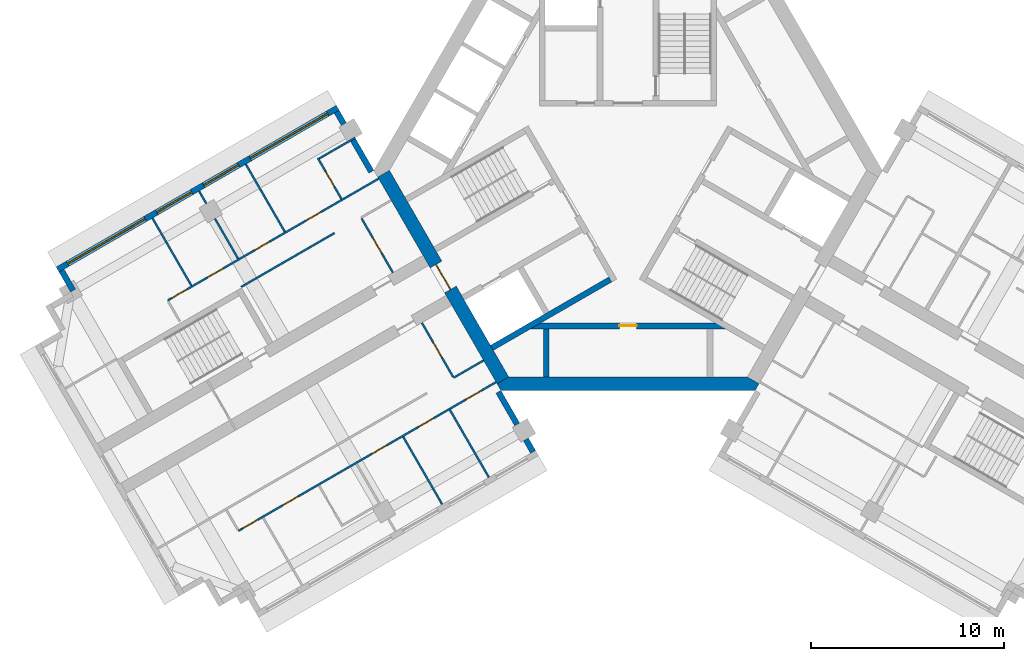
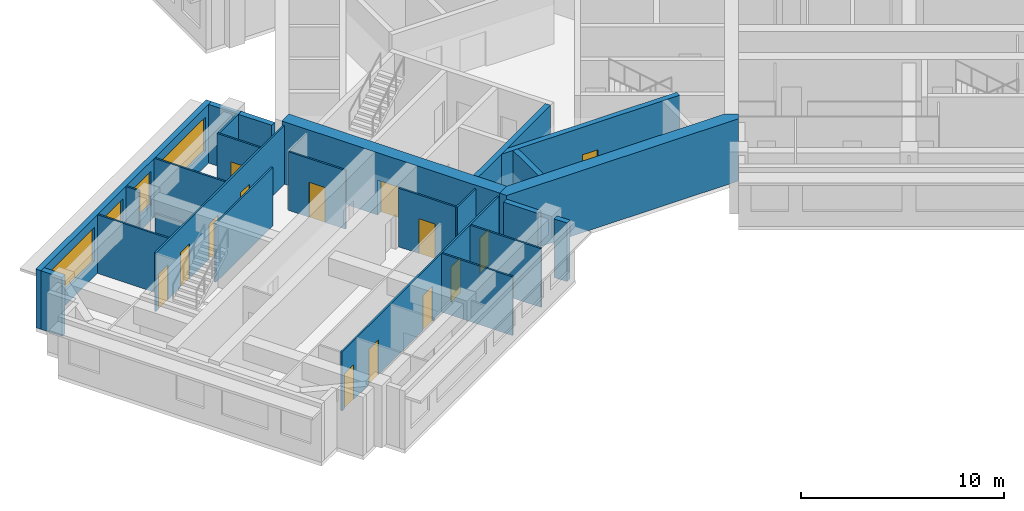
# One storey, part 3 of 10: 24 walls, 14 doors, 4 windows, 18 openings.
"""IFC4 building model written with IfcOpenShell, lengths in metres."""

from ifc_helpers import new_model, si_unit, direction, frame, frame_2d, origin, place, context, subcontext, project, spatial, polyline, rectangle, outline, extrude, material, layer, layer_set, type_object, element, fill, save


model = new_model("IFC4")

# Units and contexts
model_context = context("Model", 3, precision=1e-05, world=origin(), true_north=direction((0.0, 1.0)))
body_context = subcontext(model_context, "Body", "Model", "MODEL_VIEW")
ifc_project = project(units=[si_unit("LENGTHUNIT", "METRE"), si_unit("AREAUNIT", "SQUARE_METRE"), si_unit("VOLUMEUNIT", "CUBIC_METRE"), si_unit("PLANEANGLEUNIT", "RADIAN"), si_unit("MASSUNIT", "GRAM", prefix="KILO")], contexts=[model_context])

# Site, building, storey
site_placement = place(None, origin())
site = spatial("IfcSite", under=ifc_project, at=site_placement, CompositionType="ELEMENT")
building_placement = place(site_placement, origin())
building = spatial("IfcBuilding", under=site, at=building_placement, Name="Impinga Residences", CompositionType="ELEMENT")
storey_placement = place(building_placement, frame((0.0, 0.0, 259.75)))
storey = spatial("IfcBuildingStorey", under=building, at=storey_placement, Name="L65", CompositionType="ELEMENT", Elevation=259.75)

# Wall
ifc_material_1 = material(Name="Terracotta rainscreen on blockwork", Category="masonry")
ifc_layer_1 = layer(ifc_material_1, 0.300048828125)
ifc_layer_set_1 = layer_set([ifc_layer_1], Name="EW1 external wall, terracotta rainscreen on blockwork 300")
wall_type_1 = type_object("IfcWallType", Name="EW1 external wall, terracotta rainscreen on blockwork 300", PredefinedType="SOLIDWALL", material=ifc_layer_set_1)
wall_1_placement = place(storey_placement, frame((-28.8193359375, -6.24658203125, 0.0), z_axis=(0.0, 0.0, 1.0), x_axis=(-0.500033551112, 0.866006032174, 0.0)))
element("IfcWall", 1, at=wall_1_placement, inside=storey, type_object=wall_type_1, Name="External wall EW1 L65", PredefinedType="SOLIDWALL", context=body_context, shape_type="SweptSolid", body=[
    extrude(rectangle(XDim=1.2001953125, YDim=0.300048828125, at=frame_2d((0.60009765625, 0.0))), origin(), (0.0, 0.0, 1.0), 3.530029296875),
])

# Wall, openings, windows
wall_2_placement = place(storey_placement, frame((-29.624267578125, -5.15234375, 0.0), z_axis=(0.0, 0.0, 1.0), x_axis=(0.86602925447, 0.499993330357, 0.0)))
wall_2 = element("IfcWall", 2, at=wall_2_placement, inside=storey, type_object=wall_type_1, Name="External wall EW1 L65", PredefinedType="SOLIDWALL", context=body_context, shape_type="SweptSolid", body=[
    extrude(rectangle(XDim=16.800048828125, YDim=0.300048828125, at=frame_2d((8.39990234375, 0.0))), origin(), (0.0, 0.0, 1.0), 3.530029296875),
])
opening_1_placement = place(wall_2_placement, frame((0.60009765625, 0.0, 0.89990234375)))
opening_1 = element("IfcOpeningElement", 3, at=opening_1_placement, cuts=wall_2, Name="Opening W10", PredefinedType="OPENING", context=body_context, shape_type="SweptSolid", body=[
    extrude(rectangle(XDim=4.64990234375, YDim=2.050048828125, at=frame_2d((2.324951171875, 1.02490234375))), frame((0.0, 0.159912109375, 0.0), z_axis=(0.0, -1.0, 0.0), x_axis=(1.0, 0.0, 0.0)), (0.0, 0.0, 1.0), 0.320068359375),
])
opening_2_placement = place(wall_2_placement, frame((5.949951171875, 0.0, 0.89990234375)))
opening_2 = element("IfcOpeningElement", 4, at=opening_2_placement, cuts=wall_2, Name="Opening W9", PredefinedType="OPENING", context=body_context, shape_type="SweptSolid", body=[
    extrude(rectangle(XDim=2.10009765625, YDim=2.050048828125, at=frame_2d((1.050048828125, 1.02490234375))), frame((0.0, 0.159912109375, 0.0), z_axis=(0.0, -1.0, 0.0), x_axis=(1.0, 0.0, 0.0)), (0.0, 0.0, 1.0), 0.320068359375),
])
opening_3_placement = place(wall_2_placement, frame((8.75, 0.0, 0.89990234375)))
opening_3 = element("IfcOpeningElement", 5, at=opening_3_placement, cuts=wall_2, Name="Opening W9", PredefinedType="OPENING", context=body_context, shape_type="SweptSolid", body=[
    extrude(rectangle(XDim=2.10009765625, YDim=2.050048828125, at=frame_2d((1.050048828125, 1.02490234375))), frame((0.0, 0.159912109375, 0.0), z_axis=(0.0, -1.0, 0.0), x_axis=(1.0, 0.0, 0.0)), (0.0, 0.0, 1.0), 0.320068359375),
])
opening_4_placement = place(wall_2_placement, frame((11.550048828125, 0.0, 0.89990234375)))
opening_4 = element("IfcOpeningElement", 6, at=opening_4_placement, cuts=wall_2, Name="Opening W10", PredefinedType="OPENING", context=body_context, shape_type="SweptSolid", body=[
    extrude(rectangle(XDim=4.64990234375, YDim=2.050048828125, at=frame_2d((2.324951171875, 1.02490234375))), frame((0.0, 0.159912109375, 0.0), z_axis=(0.0, -1.0, 0.0), x_axis=(1.0, 0.0, 0.0)), (0.0, 0.0, 1.0), 0.320068359375),
])
ifc_material_2 = material(Name="Aluminium window, clear double glazing", Category="aluminium")
window_type_1 = type_object("IfcWindowType", Name="W10 ribbon window 4650x2050", PartitioningType="SINGLE_PANEL", PredefinedType="WINDOW", material=ifc_material_2)
window_1_placement = place(opening_1_placement, origin())
window_1 = element("IfcWindow", 7, at=window_1_placement, inside=storey, type_object=window_type_1, Name="Window L65", OverallHeight=2.050048828125, OverallWidth=4.64990234375, PartitioningType="SINGLE_PANEL", PredefinedType="WINDOW", context=body_context, shape_type="SweptSolid", body=[
    extrude(rectangle(XDim=4.64990234375, YDim=2.050048828125, at=frame_2d((2.324951171875, 1.02490234375))), frame((0.0, 0.030029296875, 0.0), z_axis=(0.0, -1.0, 0.0), x_axis=(1.0, 0.0, 0.0)), (0.0, 0.0, 1.0), 0.06005859375),
])
fill(opening_1, window_1)
window_2_placement = place(opening_4_placement, origin())
window_2 = element("IfcWindow", 8, at=window_2_placement, inside=storey, type_object=window_type_1, Name="Window L65", OverallHeight=2.050048828125, OverallWidth=4.64990234375, PartitioningType="SINGLE_PANEL", PredefinedType="WINDOW", context=body_context, shape_type="SweptSolid", body=[
    extrude(rectangle(XDim=4.64990234375, YDim=2.050048828125, at=frame_2d((2.324951171875, 1.02490234375))), frame((0.0, 0.030029296875, 0.0), z_axis=(0.0, -1.0, 0.0), x_axis=(1.0, 0.0, 0.0)), (0.0, 0.0, 1.0), 0.06005859375),
])
fill(opening_4, window_2)
window_type_2 = type_object("IfcWindowType", Name="W9 ribbon window 2100x2050", PartitioningType="SINGLE_PANEL", PredefinedType="WINDOW", material=ifc_material_2)
window_3_placement = place(opening_2_placement, origin())
window_3 = element("IfcWindow", 9, at=window_3_placement, inside=storey, type_object=window_type_2, Name="Window L65", OverallHeight=2.050048828125, OverallWidth=2.10009765625, PartitioningType="SINGLE_PANEL", PredefinedType="WINDOW", context=body_context, shape_type="SweptSolid", body=[
    extrude(rectangle(XDim=2.10009765625, YDim=2.050048828125, at=frame_2d((1.050048828125, 1.02490234375))), frame((0.0, 0.030029296875, 0.0), z_axis=(0.0, -1.0, 0.0), x_axis=(1.0, 0.0, 0.0)), (0.0, 0.0, 1.0), 0.06005859375),
])
fill(opening_2, window_3)
window_4_placement = place(opening_3_placement, origin())
window_4 = element("IfcWindow", 10, at=window_4_placement, inside=storey, type_object=window_type_2, Name="Window L65", OverallHeight=2.050048828125, OverallWidth=2.10009765625, PartitioningType="SINGLE_PANEL", PredefinedType="WINDOW", context=body_context, shape_type="SweptSolid", body=[
    extrude(rectangle(XDim=2.10009765625, YDim=2.050048828125, at=frame_2d((1.050048828125, 1.02490234375))), frame((0.0, 0.030029296875, 0.0), z_axis=(0.0, -1.0, 0.0), x_axis=(1.0, 0.0, 0.0)), (0.0, 0.0, 1.0), 0.06005859375),
])
fill(opening_3, window_4)

# Walls
wall_3_placement = place(storey_placement, frame((-15.1298828125, 3.042724609375, 0.0), z_axis=(0.0, 0.0, 1.0), x_axis=(0.500012057535, -0.866018442252, 0.0)))
element("IfcWall", 11, at=wall_3_placement, inside=storey, type_object=wall_type_1, Name="External wall EW1 L65", PredefinedType="SOLIDWALL", context=body_context, shape_type="SweptSolid", body=[
    extrude(rectangle(XDim=3.60009765625, YDim=0.300048828125, at=frame_2d((1.800048828125, 0.0))), origin(), (0.0, 0.0, 1.0), 3.530029296875),
])
wall_4_placement = place(storey_placement, frame((-6.72998046875, -11.506591796875, 0.0), z_axis=(0.0, 0.0, 1.0), x_axis=(0.500043961785, -0.866000020948, 0.0)))
element("IfcWall", 12, at=wall_4_placement, inside=storey, type_object=wall_type_1, Name="External wall EW1 L65", PredefinedType="SOLIDWALL", context=body_context, shape_type="SweptSolid", body=[
    extrude(rectangle(XDim=1.949951171875, YDim=0.300048828125, at=frame_2d((0.97509765625, 0.0))), origin(), (0.0, 0.0, 1.0), 3.530029296875),
])
wall_5_placement = place(storey_placement, frame((-5.304931640625, -13.974609375, 0.0), z_axis=(0.0, 0.0, 1.0), x_axis=(0.499919672301, -0.866071776036, 0.0)))
element("IfcWall", 13, at=wall_5_placement, inside=storey, type_object=wall_type_1, Name="External wall EW1 L65", PredefinedType="SOLIDWALL", context=body_context, shape_type="SweptSolid", body=[
    extrude(rectangle(XDim=0.75, YDim=0.300048828125, at=frame_2d((0.375, 0.0))), origin(), (0.0, 0.0, 1.0), 3.530029296875),
])
ifc_material_3 = material(Name="Gypsum board on steel studs", Category="steel")
ifc_layer_2 = layer(ifc_material_3, 0.10009765625)
ifc_layer_set_2 = layer_set([ifc_layer_2], Name="Gypsum board on steel studs")
wall_type_2 = type_object("IfcWallType", Name="IP1 partition 100", PredefinedType="PARTITIONING", material=ifc_layer_set_2)
wall_6_placement = place(storey_placement, frame((-7.5, -9.872802734375, 0.0), z_axis=(0.0, 0.0, 1.0), x_axis=(-0.866047807691, -0.499961193289, 0.0)))
element("IfcWall", 14, at=wall_6_placement, inside=storey, type_object=wall_type_2, Name="Partition L65-WA1:DIV0", PredefinedType="PARTITIONING", context=body_context, shape_type="SweptSolid", body=[
    extrude(rectangle(XDim=1.800048828125, YDim=0.10009765625, at=frame_2d((0.89990234375, 0.0))), origin(), (0.0, 0.0, 1.0), 3.530029296875),
])

# Wall, openings, doors
wall_7_placement = place(storey_placement, frame((-6.85009765625, -10.99853515625, 0.0), z_axis=(0.0, 0.0, 1.0), x_axis=(-0.866019273868, -0.500010617176, 0.0)))
wall_7 = element("IfcWall", 15, at=wall_7_placement, inside=storey, type_object=wall_type_2, Name="Partition L65-WA1:STRIP", PredefinedType="PARTITIONING", context=body_context, shape_type="SweptSolid", body=[
    extrude(rectangle(XDim=15.449951171875, YDim=0.10009765625, at=frame_2d((7.72509765625, 0.0))), origin(), (0.0, 0.0, 1.0), 3.530029296875),
])
opening_5_placement = place(wall_7_placement, frame((0.925048828125, 0.0, 0.0)))
opening_5 = element("IfcOpeningElement", 16, at=opening_5_placement, cuts=wall_7, Name="Opening D2", PredefinedType="OPENING", context=body_context, shape_type="SweptSolid", body=[
    extrude(rectangle(XDim=0.89990234375, YDim=2.10009765625, at=frame_2d((0.449951171875, 1.050048828125))), frame((0.0, 0.06005859375, 0.0), z_axis=(0.0, -1.0, 0.0), x_axis=(1.0, 0.0, 0.0)), (0.0, 0.0, 1.0), 0.1201171875),
])
opening_6_placement = place(wall_7_placement, frame((3.75, 0.0, 0.0)))
opening_6 = element("IfcOpeningElement", 17, at=opening_6_placement, cuts=wall_7, Name="Opening D2", PredefinedType="OPENING", context=body_context, shape_type="SweptSolid", body=[
    extrude(rectangle(XDim=0.89990234375, YDim=2.10009765625, at=frame_2d((0.449951171875, 1.050048828125))), frame((0.0, 0.06005859375, 0.0), z_axis=(0.0, -1.0, 0.0), x_axis=(1.0, 0.0, 0.0)), (0.0, 0.0, 1.0), 0.1201171875),
])
opening_7_placement = place(wall_7_placement, frame((6.550048828125, 0.0, 0.0)))
opening_7 = element("IfcOpeningElement", 18, at=opening_7_placement, cuts=wall_7, Name="Opening D2", PredefinedType="OPENING", context=body_context, shape_type="SweptSolid", body=[
    extrude(rectangle(XDim=0.89990234375, YDim=2.10009765625, at=frame_2d((0.449951171875, 1.050048828125))), frame((0.0, 0.06005859375, 0.0), z_axis=(0.0, -1.0, 0.0), x_axis=(1.0, 0.0, 0.0)), (0.0, 0.0, 1.0), 0.1201171875),
])
opening_8_placement = place(wall_7_placement, frame((11.875, 0.0, 0.0)))
opening_8 = element("IfcOpeningElement", 19, at=opening_8_placement, cuts=wall_7, Name="Opening D2", PredefinedType="OPENING", context=body_context, shape_type="SweptSolid", body=[
    extrude(rectangle(XDim=0.89990234375, YDim=2.10009765625, at=frame_2d((0.449951171875, 1.050048828125))), frame((0.0, 0.06005859375, 0.0), z_axis=(0.0, -1.0, 0.0), x_axis=(1.0, 0.0, 0.0)), (0.0, 0.0, 1.0), 0.1201171875),
])
opening_9_placement = place(wall_7_placement, frame((14.300048828125, 0.0, 0.0)))
opening_9 = element("IfcOpeningElement", 20, at=opening_9_placement, cuts=wall_7, Name="Opening D2", PredefinedType="OPENING", context=body_context, shape_type="SweptSolid", body=[
    extrude(rectangle(XDim=0.89990234375, YDim=2.10009765625, at=frame_2d((0.449951171875, 1.050048828125))), frame((0.0, 0.06005859375, 0.0), z_axis=(0.0, -1.0, 0.0), x_axis=(1.0, 0.0, 0.0)), (0.0, 0.0, 1.0), 0.1201171875),
])
ifc_material_4 = material(Name="Timber door set", Category="wood")
door_type_1 = type_object("IfcDoorType", Name="D2 internal door 900x2100", OperationType="SINGLE_SWING_LEFT", PredefinedType="DOOR", material=ifc_material_4)
door_1_placement = place(opening_5_placement, origin())
door_1 = element("IfcDoor", 21, at=door_1_placement, inside=storey, type_object=door_type_1, Name="Apartment L65-WA1 room door", OperationType="SINGLE_SWING_LEFT", OverallHeight=2.10009765625, OverallWidth=0.89990234375, PredefinedType="DOOR", context=body_context, shape_type="SweptSolid", body=[
    extrude(rectangle(XDim=0.89990234375, YDim=2.10009765625, at=frame_2d((0.449951171875, 1.050048828125))), frame((0.0, 0.02490234375, 0.0), z_axis=(0.0, -1.0, 0.0), x_axis=(1.0, 0.0, 0.0)), (0.0, 0.0, 1.0), 0.050048828125),
])
fill(opening_5, door_1)
door_2_placement = place(opening_6_placement, origin())
door_2 = element("IfcDoor", 22, at=door_2_placement, inside=storey, type_object=door_type_1, Name="Apartment L65-WA1 room door", OperationType="SINGLE_SWING_LEFT", OverallHeight=2.10009765625, OverallWidth=0.89990234375, PredefinedType="DOOR", context=body_context, shape_type="SweptSolid", body=[
    extrude(rectangle(XDim=0.89990234375, YDim=2.10009765625, at=frame_2d((0.449951171875, 1.050048828125))), frame((0.0, 0.02490234375, 0.0), z_axis=(0.0, -1.0, 0.0), x_axis=(1.0, 0.0, 0.0)), (0.0, 0.0, 1.0), 0.050048828125),
])
fill(opening_6, door_2)
door_3_placement = place(opening_7_placement, origin())
door_3 = element("IfcDoor", 23, at=door_3_placement, inside=storey, type_object=door_type_1, Name="Apartment L65-WA1 room door", OperationType="SINGLE_SWING_LEFT", OverallHeight=2.10009765625, OverallWidth=0.89990234375, PredefinedType="DOOR", context=body_context, shape_type="SweptSolid", body=[
    extrude(rectangle(XDim=0.89990234375, YDim=2.10009765625, at=frame_2d((0.449951171875, 1.050048828125))), frame((0.0, 0.02490234375, 0.0), z_axis=(0.0, -1.0, 0.0), x_axis=(1.0, 0.0, 0.0)), (0.0, 0.0, 1.0), 0.050048828125),
])
fill(opening_7, door_3)
door_4_placement = place(opening_8_placement, origin())
door_4 = element("IfcDoor", 24, at=door_4_placement, inside=storey, type_object=door_type_1, Name="Apartment L65-WA1 room door", OperationType="SINGLE_SWING_RIGHT", OverallHeight=2.10009765625, OverallWidth=0.89990234375, PredefinedType="DOOR", context=body_context, shape_type="SweptSolid", body=[
    extrude(rectangle(XDim=0.89990234375, YDim=2.10009765625, at=frame_2d((0.449951171875, 1.050048828125))), frame((0.0, 0.02490234375, 0.0), z_axis=(0.0, -1.0, 0.0), x_axis=(1.0, 0.0, 0.0)), (0.0, 0.0, 1.0), 0.050048828125),
])
fill(opening_8, door_4)
door_5_placement = place(opening_9_placement, origin())
door_5 = element("IfcDoor", 25, at=door_5_placement, inside=storey, type_object=door_type_1, Name="Apartment L65-WA1 room door", OperationType="SINGLE_SWING_RIGHT", OverallHeight=2.10009765625, OverallWidth=0.89990234375, PredefinedType="DOOR", context=body_context, shape_type="SweptSolid", body=[
    extrude(rectangle(XDim=0.89990234375, YDim=2.10009765625, at=frame_2d((0.449951171875, 1.050048828125))), frame((0.0, 0.02490234375, 0.0), z_axis=(0.0, -1.0, 0.0), x_axis=(1.0, 0.0, 0.0)), (0.0, 0.0, 1.0), 0.050048828125),
])
fill(opening_9, door_5)

# Wall, opening, door
wall_8_placement = place(storey_placement, frame((-10.708740234375, -7.914794921875, 0.0), z_axis=(0.0, 0.0, 1.0), x_axis=(0.499984717929, -0.866034226713, 0.0)))
wall_8 = element("IfcWall", 26, at=wall_8_placement, inside=storey, type_object=wall_type_2, Name="Partition L65-WA1:IB1", PredefinedType="PARTITIONING", context=body_context, shape_type="SweptSolid", body=[
    extrude(rectangle(XDim=3.25, YDim=0.10009765625, at=frame_2d((1.625, 0.0))), origin(), (0.0, 0.0, 1.0), 3.530029296875),
])
opening_10_placement = place(wall_8_placement, frame((1.175048828125, 0.0, 0.0)))
opening_10 = element("IfcOpeningElement", 27, at=opening_10_placement, cuts=wall_8, Name="Opening D2", PredefinedType="OPENING", context=body_context, shape_type="SweptSolid", body=[
    extrude(rectangle(XDim=0.89990234375, YDim=2.10009765625, at=frame_2d((0.449951171875, 1.050048828125))), frame((0.0, 0.06005859375, 0.0), z_axis=(0.0, -1.0, 0.0), x_axis=(1.0, 0.0, 0.0)), (0.0, 0.0, 1.0), 0.1201171875),
])
door_6_placement = place(opening_10_placement, origin())
door_6 = element("IfcDoor", 28, at=door_6_placement, inside=storey, type_object=door_type_1, Name="Apartment L65-WA1 bathroom door", OperationType="SINGLE_SWING_LEFT", OverallHeight=2.10009765625, OverallWidth=0.89990234375, PredefinedType="DOOR", context=body_context, shape_type="SweptSolid", body=[
    extrude(rectangle(XDim=0.89990234375, YDim=2.10009765625, at=frame_2d((0.449951171875, 1.050048828125))), frame((0.0, 0.02490234375, 0.0), z_axis=(0.0, -1.0, 0.0), x_axis=(1.0, 0.0, 0.0)), (0.0, 0.0, 1.0), 0.050048828125),
])
fill(opening_10, door_6)

# Walls
wall_9_placement = place(storey_placement, frame((-9.249755859375, -12.44189453125, 0.0), z_axis=(0.0, 0.0, 1.0), x_axis=(0.499990325971, -0.866030989016, 0.0)))
element("IfcWall", 29, at=wall_9_placement, inside=storey, type_object=wall_type_2, Name="Partition L65-WA1:OB1", PredefinedType="PARTITIONING", context=body_context, shape_type="SweptSolid", body=[
    extrude(rectangle(XDim=4.0498046875, YDim=0.10009765625, at=frame_2d((2.02490234375, 0.0))), origin(), (0.0, 0.0, 1.0), 3.530029296875),
])
wall_10_placement = place(storey_placement, frame((-11.6748046875, -13.841796875, 0.0), z_axis=(0.0, 0.0, 1.0), x_axis=(0.500035537042, -0.866004885491, 0.0)))
element("IfcWall", 30, at=wall_10_placement, inside=storey, type_object=wall_type_2, Name="Partition L65-WA1:OB2", PredefinedType="PARTITIONING", context=body_context, shape_type="SweptSolid", body=[
    extrude(rectangle(XDim=4.050048828125, YDim=0.10009765625, at=frame_2d((2.02490234375, 0.0))), origin(), (0.0, 0.0, 1.0), 3.530029296875),
])
wall_11_placement = place(storey_placement, frame((-15.244384765625, -3.2587890625, 0.0), z_axis=(0.0, 0.0, 1.0), x_axis=(-0.866026594901, -0.49999793692, 0.0)))
element("IfcWall", 31, at=wall_11_placement, inside=storey, type_object=wall_type_2, Name="Partition L65-WF1:DIV1", PredefinedType="PARTITIONING", context=body_context, shape_type="SweptSolid", body=[
    extrude(rectangle(XDim=5.60009765625, YDim=0.10009765625, at=frame_2d((2.800048828125, 0.0))), origin(), (0.0, 0.0, 1.0), 3.530029296875),
])

# Wall, openings, doors
wall_12_placement = place(storey_placement, frame((-12.949951171875, -0.43310546875, 0.0), z_axis=(0.0, 0.0, 1.0), x_axis=(-0.866029069366, -0.499993650972, 0.0)))
wall_12 = element("IfcWall", 32, at=wall_12_placement, inside=storey, type_object=wall_type_2, Name="Partition L65-WF1:STRIP", PredefinedType="PARTITIONING", context=body_context, shape_type="SweptSolid", body=[
    extrude(rectangle(XDim=12.650146484375, YDim=0.10009765625, at=frame_2d((6.3251953125, 0.0))), origin(), (0.0, 0.0, 1.0), 3.530029296875),
])
opening_11_placement = place(wall_12_placement, frame((3.449951171875, 0.0, 0.0)))
opening_11 = element("IfcOpeningElement", 33, at=opening_11_placement, cuts=wall_12, Name="Opening D2", PredefinedType="OPENING", context=body_context, shape_type="SweptSolid", body=[
    extrude(rectangle(XDim=0.89990234375, YDim=2.10009765625, at=frame_2d((0.449951171875, 1.050048828125))), frame((0.0, 0.06005859375, 0.0), z_axis=(0.0, -1.0, 0.0), x_axis=(1.0, 0.0, 0.0)), (0.0, 0.0, 1.0), 0.1201171875),
])
opening_12_placement = place(wall_12_placement, frame((6.550048828125, 0.0, 0.0)))
opening_12 = element("IfcOpeningElement", 34, at=opening_12_placement, cuts=wall_12, Name="Opening D2", PredefinedType="OPENING", context=body_context, shape_type="SweptSolid", body=[
    extrude(rectangle(XDim=0.89990234375, YDim=2.10009765625, at=frame_2d((0.449951171875, 1.050048828125))), frame((0.0, 0.06005859375, 0.0), z_axis=(0.0, -1.0, 0.0), x_axis=(1.0, 0.0, 0.0)), (0.0, 0.0, 1.0), 0.1201171875),
])
opening_13_placement = place(wall_12_placement, frame((9.35009765625, 0.0, 0.0)))
opening_13 = element("IfcOpeningElement", 35, at=opening_13_placement, cuts=wall_12, Name="Opening D2", PredefinedType="OPENING", context=body_context, shape_type="SweptSolid", body=[
    extrude(rectangle(XDim=0.89990234375, YDim=2.10009765625, at=frame_2d((0.449951171875, 1.050048828125))), frame((0.0, 0.06005859375, 0.0), z_axis=(0.0, -1.0, 0.0), x_axis=(1.0, 0.0, 0.0)), (0.0, 0.0, 1.0), 0.1201171875),
])
opening_14_placement = place(wall_12_placement, frame((11.5, 0.0, 0.0)))
opening_14 = element("IfcOpeningElement", 36, at=opening_14_placement, cuts=wall_12, Name="Opening D2", PredefinedType="OPENING", context=body_context, shape_type="SweptSolid", body=[
    extrude(rectangle(XDim=0.89990234375, YDim=2.10009765625, at=frame_2d((0.449951171875, 1.050048828125))), frame((0.0, 0.06005859375, 0.0), z_axis=(0.0, -1.0, 0.0), x_axis=(1.0, 0.0, 0.0)), (0.0, 0.0, 1.0), 0.1201171875),
])
door_7_placement = place(opening_11_placement, origin())
door_7 = element("IfcDoor", 37, at=door_7_placement, inside=storey, type_object=door_type_1, Name="Apartment L65-WF1 room door", OperationType="SINGLE_SWING_LEFT", OverallHeight=2.10009765625, OverallWidth=0.89990234375, PredefinedType="DOOR", context=body_context, shape_type="SweptSolid", body=[
    extrude(rectangle(XDim=0.89990234375, YDim=2.10009765625, at=frame_2d((0.449951171875, 1.050048828125))), frame((0.0, 0.02490234375, 0.0), z_axis=(0.0, -1.0, 0.0), x_axis=(1.0, 0.0, 0.0)), (0.0, 0.0, 1.0), 0.050048828125),
])
fill(opening_11, door_7)
door_8_placement = place(opening_12_placement, origin())
door_8 = element("IfcDoor", 38, at=door_8_placement, inside=storey, type_object=door_type_1, Name="Apartment L65-WF1 room door", OperationType="SINGLE_SWING_RIGHT", OverallHeight=2.10009765625, OverallWidth=0.89990234375, PredefinedType="DOOR", context=body_context, shape_type="SweptSolid", body=[
    extrude(rectangle(XDim=0.89990234375, YDim=2.10009765625, at=frame_2d((0.449951171875, 1.050048828125))), frame((0.0, 0.02490234375, 0.0), z_axis=(0.0, -1.0, 0.0), x_axis=(1.0, 0.0, 0.0)), (0.0, 0.0, 1.0), 0.050048828125),
])
fill(opening_12, door_8)
door_9_placement = place(opening_13_placement, origin())
door_9 = element("IfcDoor", 39, at=door_9_placement, inside=storey, type_object=door_type_1, Name="Apartment L65-WF1 room door", OperationType="SINGLE_SWING_RIGHT", OverallHeight=2.10009765625, OverallWidth=0.89990234375, PredefinedType="DOOR", context=body_context, shape_type="SweptSolid", body=[
    extrude(rectangle(XDim=0.89990234375, YDim=2.10009765625, at=frame_2d((0.449951171875, 1.050048828125))), frame((0.0, 0.02490234375, 0.0), z_axis=(0.0, -1.0, 0.0), x_axis=(1.0, 0.0, 0.0)), (0.0, 0.0, 1.0), 0.050048828125),
])
fill(opening_13, door_9)
door_10_placement = place(opening_14_placement, origin())
door_10 = element("IfcDoor", 40, at=door_10_placement, inside=storey, type_object=door_type_1, Name="Apartment L65-WF1 room door", OperationType="SINGLE_SWING_RIGHT", OverallHeight=2.10009765625, OverallWidth=0.89990234375, PredefinedType="DOOR", context=body_context, shape_type="SweptSolid", body=[
    extrude(rectangle(XDim=0.89990234375, YDim=2.10009765625, at=frame_2d((0.449951171875, 1.050048828125))), frame((0.0, 0.02490234375, 0.0), z_axis=(0.0, -1.0, 0.0), x_axis=(1.0, 0.0, 0.0)), (0.0, 0.0, 1.0), 0.050048828125),
])
fill(opening_14, door_10)

# Wall, opening, door
wall_13_placement = place(storey_placement, frame((-12.208740234375, -5.316650390625, 0.0), z_axis=(0.0, 0.0, 1.0), x_axis=(-0.500017246033, 0.866015446554, 0.0)))
wall_13 = element("IfcWall", 41, at=wall_13_placement, inside=storey, type_object=wall_type_2, Name="Partition L65-WF1:IB1", PredefinedType="PARTITIONING", context=body_context, shape_type="SweptSolid", body=[
    extrude(rectangle(XDim=3.25, YDim=0.10009765625, at=frame_2d((1.625, 0.0))), origin(), (0.0, 0.0, 1.0), 3.530029296875),
])
opening_15_placement = place(wall_13_placement, frame((1.175048828125, 0.0, 0.0)))
opening_15 = element("IfcOpeningElement", 42, at=opening_15_placement, cuts=wall_13, Name="Opening D2", PredefinedType="OPENING", context=body_context, shape_type="SweptSolid", body=[
    extrude(rectangle(XDim=0.89990234375, YDim=2.10009765625, at=frame_2d((0.449951171875, 1.050048828125))), frame((0.0, 0.06005859375, 0.0), z_axis=(0.0, -1.0, 0.0), x_axis=(1.0, 0.0, 0.0)), (0.0, 0.0, 1.0), 0.1201171875),
])
door_11_placement = place(opening_15_placement, origin())
door_11 = element("IfcDoor", 43, at=door_11_placement, inside=storey, type_object=door_type_1, Name="Apartment L65-WF1 bathroom door", OperationType="SINGLE_SWING_LEFT", OverallHeight=2.10009765625, OverallWidth=0.89990234375, PredefinedType="DOOR", context=body_context, shape_type="SweptSolid", body=[
    extrude(rectangle(XDim=0.89990234375, YDim=2.10009765625, at=frame_2d((0.449951171875, 1.050048828125))), frame((0.0, 0.02490234375, 0.0), z_axis=(0.0, -1.0, 0.0), x_axis=(1.0, 0.0, 0.0)), (0.0, 0.0, 1.0), 0.050048828125),
])
fill(opening_15, door_11)

# Walls
wall_14_placement = place(storey_placement, frame((-17.82470703125, -3.189697265625, 0.0), z_axis=(0.0, 0.0, 1.0), x_axis=(-0.500035537042, 0.866004885491, 0.0)))
element("IfcWall", 44, at=wall_14_placement, inside=storey, type_object=wall_type_2, Name="Partition L65-WF1:OB1", PredefinedType="PARTITIONING", context=body_context, shape_type="SweptSolid", body=[
    extrude(rectangle(XDim=4.050048828125, YDim=0.10009765625, at=frame_2d((2.02490234375, 0.0))), origin(), (0.0, 0.0, 1.0), 3.530029296875),
])
wall_15_placement = place(storey_placement, frame((-20.24951171875, -4.589599609375, 0.0), z_axis=(0.0, 0.0, 1.0), x_axis=(-0.500077600433, 0.865980596518, 0.0)))
element("IfcWall", 45, at=wall_15_placement, inside=storey, type_object=wall_type_2, Name="Partition L65-WF1:OB2", PredefinedType="PARTITIONING", context=body_context, shape_type="SweptSolid", body=[
    extrude(rectangle(XDim=2.39990234375, YDim=0.10009765625, at=frame_2d((1.199951171875, 0.0))), origin(), (0.0, 0.0, 1.0), 2.47998046875),
])
wall_16_placement = place(storey_placement, frame((-21.899658203125, -1.73193359375, 0.0), z_axis=(0.0, 0.0, 1.0), x_axis=(-0.499919672301, 0.866071776036, 0.0)))
element("IfcWall", 46, at=wall_16_placement, inside=storey, type_object=wall_type_2, Name="Partition L65-WF1:OB2b", PredefinedType="PARTITIONING", context=body_context, shape_type="SweptSolid", body=[
    extrude(rectangle(XDim=0.75, YDim=0.10009765625, at=frame_2d((0.375, 0.0))), origin(), (0.0, 0.0, 1.0), 3.530029296875),
])
wall_17_placement = place(storey_placement, frame((-22.674560546875, -5.98974609375, 0.0), z_axis=(0.0, 0.0, 1.0), x_axis=(-0.499990325971, 0.866030989016, 0.0)))
element("IfcWall", 47, at=wall_17_placement, inside=storey, type_object=wall_type_2, Name="Partition L65-WF1:OB3", PredefinedType="PARTITIONING", context=body_context, shape_type="SweptSolid", body=[
    extrude(rectangle(XDim=4.0498046875, YDim=0.10009765625, at=frame_2d((2.02490234375, 0.0))), origin(), (0.0, 0.0, 1.0), 3.530029296875),
])

# Wall, opening, door
wall_18_placement = place(storey_placement, frame((-14.88037109375, -1.48974609375, 0.0), z_axis=(0.0, 0.0, 1.0), x_axis=(-0.499943856944, 0.866057815567, 0.0)))
wall_18 = element("IfcWall", 48, at=wall_18_placement, inside=storey, type_object=wall_type_2, Name="Partition L65-WF1:EN1", PredefinedType="PARTITIONING", context=body_context, shape_type="SweptSolid", body=[
    extrude(rectangle(XDim=2.449951171875, YDim=0.10009765625, at=frame_2d((1.22509765625, 0.0))), origin(), (0.0, 0.0, 1.0), 3.530029296875),
])
opening_16_placement = place(wall_18_placement, frame((0.75, 0.0, 0.0)))
opening_16 = element("IfcOpeningElement", 49, at=opening_16_placement, cuts=wall_18, Name="Opening D2", PredefinedType="OPENING", context=body_context, shape_type="SweptSolid", body=[
    extrude(rectangle(XDim=0.89990234375, YDim=2.10009765625, at=frame_2d((0.449951171875, 1.050048828125))), frame((0.0, 0.06005859375, 0.0), z_axis=(0.0, -1.0, 0.0), x_axis=(1.0, 0.0, 0.0)), (0.0, 0.0, 1.0), 0.1201171875),
])
door_12_placement = place(opening_16_placement, origin())
door_12 = element("IfcDoor", 50, at=door_12_placement, inside=storey, type_object=door_type_1, Name="Apartment L65-WF1 en-suite door", OperationType="SINGLE_SWING_LEFT", OverallHeight=2.10009765625, OverallWidth=0.89990234375, PredefinedType="DOOR", context=body_context, shape_type="SweptSolid", body=[
    extrude(rectangle(XDim=0.89990234375, YDim=2.10009765625, at=frame_2d((0.449951171875, 1.050048828125))), frame((0.0, 0.02490234375, 0.0), z_axis=(0.0, -1.0, 0.0), x_axis=(1.0, 0.0, 0.0)), (0.0, 0.0, 1.0), 0.050048828125),
])
fill(opening_16, door_12)

# Wall
wall_19_placement = place(storey_placement, frame((-14.175048828125, 1.688720703125, 0.0), z_axis=(0.0, 0.0, 1.0), x_axis=(-0.866019166195, -0.500010803666, 0.0)))
element("IfcWall", 51, at=wall_19_placement, inside=storey, type_object=wall_type_2, Name="Partition L65-WF1:EN2", PredefinedType="PARTITIONING", context=body_context, shape_type="SweptSolid", body=[
    extrude(rectangle(XDim=2.14990234375, YDim=0.10009765625, at=frame_2d((1.074951171875, 0.0))), origin(), (0.0, 0.0, 1.0), 3.530029296875),
])

# Wall, opening, door
ifc_material_5 = material(Name="Concrete C60/75", Category="concrete")
ifc_layer_3 = layer(ifc_material_5, 0.699951171875)
ifc_layer_set_3 = layer_set([ifc_layer_3], Name="Concrete C60/75")
wall_type_3 = type_object("IfcWallType", Name="SW3 core wall 700", PredefinedType="SHEAR", material=ifc_layer_set_3)
wall_20_placement = place(storey_placement, frame((-6.4990234375, -10.906494140625, 0.0), z_axis=(0.0, 0.0, 1.0), x_axis=(-0.499999875397, 0.866025475724, 0.0)))
wall_20 = element("IfcWall", 52, at=wall_20_placement, inside=storey, type_object=wall_type_3, Name="Core wall SW3 W:FACE L65", PredefinedType="SHEAR", context=body_context, shape_type="SweptSolid", body=[
    extrude(rectangle(XDim=12.3916015625, YDim=0.699951171875, at=frame_2d((6.19580078125, 0.0))), origin(), (0.0, 0.0, 1.0), 3.75),
])
opening_17_placement = place(wall_20_placement, frame((5.44580078125, 0.0, 0.0)))
opening_17 = element("IfcOpeningElement", 53, at=opening_17_placement, cuts=wall_20, Name="Opening D4", PredefinedType="OPENING", context=body_context, shape_type="SweptSolid", body=[
    extrude(rectangle(XDim=1.5, YDim=2.10009765625, at=frame_2d((0.75, 1.050048828125))), frame((0.0, 0.35986328125, 0.0), z_axis=(0.0, -1.0, 0.0), x_axis=(1.0, 0.0, 0.0)), (0.0, 0.0, 1.0), 0.719970703125),
])
door_type_2 = type_object("IfcDoorType", Name="D4 lobby door pair 1500x2100", OperationType="DOUBLE_DOOR_DOUBLE_SWING", PredefinedType="DOOR", material=ifc_material_4)
door_13_placement = place(opening_17_placement, origin())
door_13 = element("IfcDoor", 54, at=door_13_placement, inside=storey, type_object=door_type_2, Name="Lobby door W", OperationType="DOUBLE_DOOR_DOUBLE_SWING", OverallHeight=2.10009765625, OverallWidth=1.5, PredefinedType="DOOR", context=body_context, shape_type="SweptSolid", body=[
    extrude(rectangle(XDim=1.5, YDim=2.10009765625, at=frame_2d((0.75, 1.050048828125))), frame((0.0, 0.02490234375, 0.0), z_axis=(0.0, -1.0, 0.0), x_axis=(1.0, 0.0, 0.0)), (0.0, 0.0, 1.0), 0.050048828125),
])
fill(opening_17, door_13)

# Walls
wall_21_placement = place(storey_placement, origin())
element("IfcWall", 55, at=wall_21_placement, inside=storey, type_object=wall_type_3, Name="Core wall SW3 N:EXPOSED L65", PredefinedType="SHEAR", context=body_context, shape_type="SweptSolid", body=[
    extrude(outline(polyline([(-6.60009765625, -11.431640625), (6.60009765625, -11.431640625), (6.802001953125, -11.08154296875), (6.19580078125, -10.7314453125), (-6.19580078125, -10.7314453125), (-6.802001953125, -11.08154296875), (-6.60009765625, -11.431640625)])), origin(), (0.0, 0.0, 1.0), 3.75),
])
ifc_material_6 = material(Name="Concrete C70/85", Category="concrete")
ifc_layer_4 = layer(ifc_material_6, 0.300048828125)
ifc_layer_set_4 = layer_set([ifc_layer_4], Name="Concrete C70/85")
wall_type_4 = type_object("IfcWallType", Name="SW5 core inner wall, stairs, shafts and lobbies 300", PredefinedType="SHEAR", material=ifc_layer_set_4)
wall_22_placement = place(storey_placement, frame((-0.918701171875, -5.668701171875, 0.0), z_axis=(0.0, 0.0, 1.0), x_axis=(-0.866025859768, -0.499999210213, 0.0)))
element("IfcWall", 56, at=wall_22_placement, inside=storey, type_object=wall_type_4, Name="Core wall SW5 W:FF-OUT L65", PredefinedType="SHEAR", context=body_context, shape_type="SweptSolid", body=[
    extrude(rectangle(XDim=7.1015625, YDim=0.300048828125, at=frame_2d((3.55078125, 0.0))), origin(), (0.0, 0.0, 1.0), 3.75),
])

# Wall, opening, door
wall_23_placement = place(storey_placement, frame((5.09765625, -8.08154296875, 0.0), z_axis=(0.0, 0.0, 1.0), x_axis=(-1.0, 0.0, 0.0)))
wall_23 = element("IfcWall", 57, at=wall_23_placement, inside=storey, type_object=wall_type_4, Name="Core wall SW5 N:BANK-FRONT L65", PredefinedType="SHEAR", context=body_context, shape_type="SweptSolid", body=[
    extrude(rectangle(XDim=10.1953125, YDim=0.300048828125, at=frame_2d((5.09765625, 0.0))), origin(), (0.0, 0.0, 1.0), 3.75),
])
opening_18_placement = place(wall_23_placement, frame((4.647705078125, 0.0, 0.0)))
opening_18 = element("IfcOpeningElement", 58, at=opening_18_placement, cuts=wall_23, Name="Opening D6", PredefinedType="OPENING", context=body_context, shape_type="SweptSolid", body=[
    extrude(rectangle(XDim=0.89990234375, YDim=2.10009765625, at=frame_2d((0.449951171875, 1.050048828125))), frame((0.0, 0.159912109375, 0.0), z_axis=(0.0, -1.0, 0.0), x_axis=(1.0, 0.0, 0.0)), (0.0, 0.0, 1.0), 0.320068359375),
])
door_type_3 = type_object("IfcDoorType", Name="D6 riser and store door 900x2100", OperationType="SINGLE_SWING_LEFT", PredefinedType="DOOR", material=ifc_material_4)
door_14_placement = place(opening_18_placement, origin())
door_14 = element("IfcDoor", 59, at=door_14_placement, inside=storey, type_object=door_type_3, Name="IT and communications room door", OperationType="SINGLE_SWING_LEFT", OverallHeight=2.10009765625, OverallWidth=0.89990234375, PredefinedType="DOOR", context=body_context, shape_type="SweptSolid", body=[
    extrude(rectangle(XDim=0.89990234375, YDim=2.10009765625, at=frame_2d((0.449951171875, 1.050048828125))), frame((0.0, 0.02490234375, 0.0), z_axis=(0.0, -1.0, 0.0), x_axis=(1.0, 0.0, 0.0)), (0.0, 0.0, 1.0), 0.050048828125),
])
fill(opening_18, door_14)

# Wall
wall_24_placement = place(storey_placement, frame((-4.25, -8.2314453125, 0.0), z_axis=(0.0, 0.0, 1.0), x_axis=(0.0, -1.0, 0.0)))
element("IfcWall", 60, at=wall_24_placement, inside=storey, type_object=wall_type_4, Name="Core wall SW5 N:BANK-R L65", PredefinedType="SHEAR", context=body_context, shape_type="SweptSolid", body=[
    extrude(rectangle(XDim=2.5, YDim=0.300048828125, at=frame_2d((1.25, 0.0))), origin(), (0.0, 0.0, 1.0), 3.75),
])

save(model, "model.ifc")
